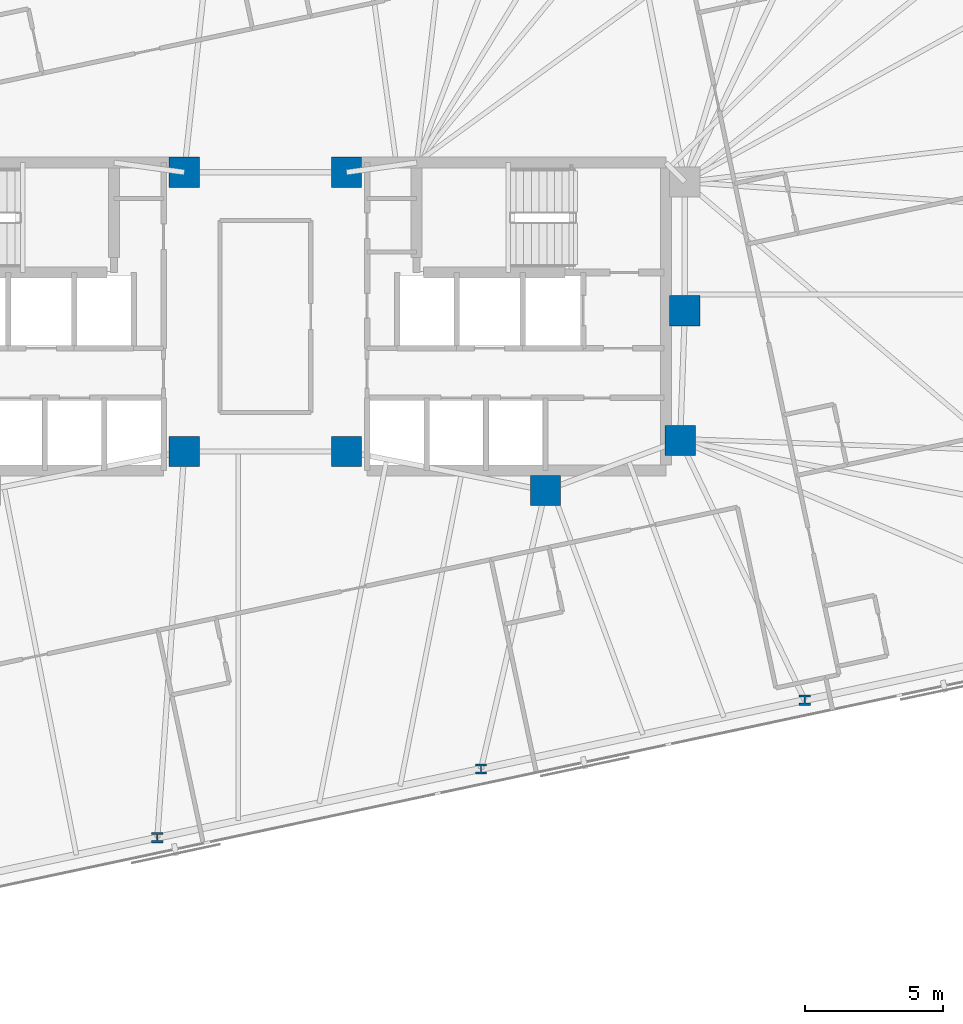
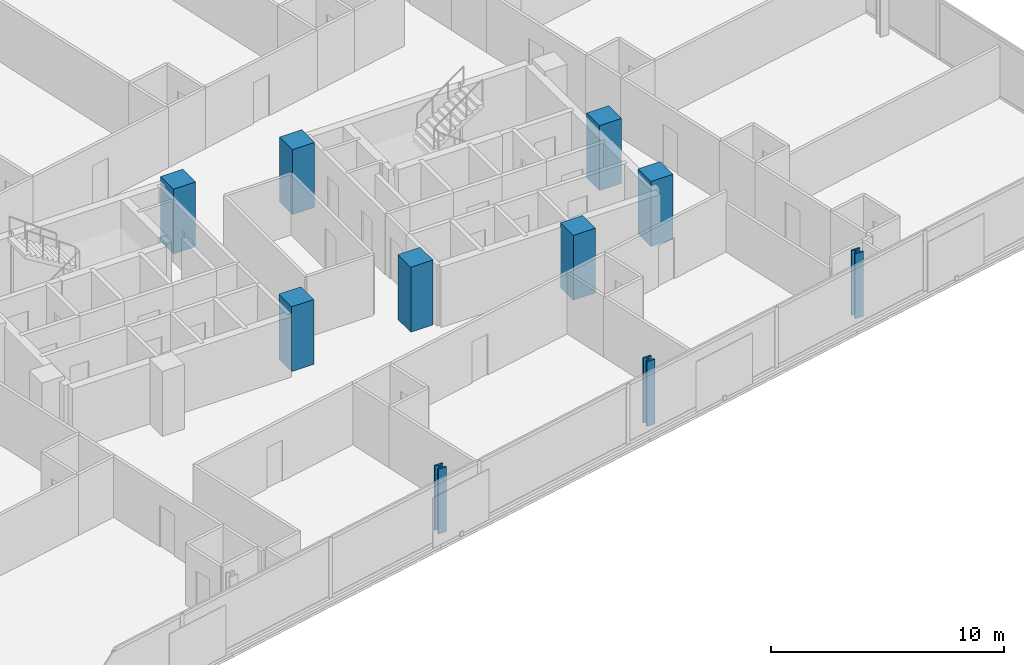
# One storey, part 3 of 19: 10 columns.
"""IFC4 building model written with IfcOpenShell, lengths in metres."""

from ifc_helpers import new_model, si_unit, direction, frame, origin, origin_2d, place, context, subcontext, project, spatial, rectangle, i_section, extrude, material, material_profile, profile_set, type_object, element, save


model = new_model("IFC4")

# Units and contexts
model_context = context("Model", 3, precision=1e-05, world=origin(), true_north=direction((0.0, 1.0)))
body_context = subcontext(model_context, "Body", "Model", "MODEL_VIEW")
ifc_project = project(units=[si_unit("LENGTHUNIT", "METRE"), si_unit("AREAUNIT", "SQUARE_METRE"), si_unit("VOLUMEUNIT", "CUBIC_METRE"), si_unit("PLANEANGLEUNIT", "RADIAN"), si_unit("MASSUNIT", "GRAM", prefix="KILO")], contexts=[model_context])

# Site, building, storey
site_placement = place(None, origin())
site = spatial("IfcSite", under=ifc_project, at=site_placement, CompositionType="ELEMENT")
building_placement = place(site_placement, origin())
building = spatial("IfcBuilding", under=site, at=building_placement, Name="Menara Jurai Vektor", CompositionType="ELEMENT")
storey_placement = place(building_placement, frame((0.0, 0.0, 154.800048828125)))
storey = spatial("IfcBuildingStorey", under=building, at=storey_placement, Name="L39", CompositionType="ELEMENT", Elevation=154.800048828125)

# Columns
ifc_material_1 = material(Name="Concrete C50/60", Category="concrete")
ifc_material_profile_1 = material_profile(ifc_material_1, rectangle(XDim=1.10009765625, YDim=1.10009765625, at=origin_2d()), Name="RC 1100x1100")
ifc_profile_set_1 = profile_set([ifc_material_profile_1], Name="Concrete C50/60")
column_type_1 = type_object("IfcColumnType", Name="STR-COL-RC1100", PredefinedType="COLUMN", material=ifc_profile_set_1)
for number, where, z_axis, x_axis, name in (
    (1, (-2.949951171875, -4.89990234375, 0.0), (0.0, 0.0, 1.0), (1.0, 0.0, 0.0), "Core Spine Column CW-SE L39"),
    (2, (-2.949951171875, 5.25, 0.0), (0.0, 0.0, 1.0), (1.0, 0.0, 0.0), "Core Spine Column CW-NE L39"),
    (3, (15.25, 0.219970703125, 0.0), (0.0, 0.0, 1.0), (1.0, 0.0, 0.0), "Core Spine Column CE-EM L39"),
    (4, (15.080078125, -4.5, 0.0), (0.0, 0.0, 1.0), (1.0, 0.0, 0.0), "Core Spine Column CE-SE L39"),
    (5, (10.179931640625, -6.320068359375, 0.0), (0.0, 0.0, 1.0), (1.0, 0.0, 0.0), "Core Spine Column CE-SM L39"),
    (6, (2.949951171875, -4.89990234375, 0.0), (0.0, 0.0, 1.0), (1.0, 0.0, 0.0), "Core Spine Column CE-SW L39"),
    (7, (2.949951171875, 5.25, 0.0), (0.0, 0.0, 1.0), (1.0, 0.0, 0.0), "Core Spine Column CE-NW L39"),
):
    element("IfcColumn", number, at=place(storey_placement, frame(where, z_axis=z_axis, x_axis=x_axis)), inside=storey, type_object=column_type_1, Name=name, PredefinedType="COLUMN", context=body_context, shape_type="SweptSolid", body=[
        extrude(rectangle(XDim=1.10009765625, YDim=1.10009765625, at=origin_2d()), origin(), (0.0, 0.0, 1.0), 3.39990234375),
    ])
ifc_material_2 = material(Name="Steel S460", Category="steel")
ifc_material_profile_2 = material_profile(ifc_material_2, i_section(OverallWidth=0.408935546875, OverallDepth=0.3740234375, WebThickness=0.048095703125, FlangeThickness=0.076904296875, FilletRadius=0.014892578125, at=origin_2d()), Name="HD 400x634")
ifc_profile_set_2 = profile_set([ifc_material_profile_2], Name="Steel S460")
column_type_2 = type_object("IfcColumnType", Name="STR-EXO-BLK3", PredefinedType="COLUMN", material=ifc_profile_set_2)
for number, where, z_axis, x_axis, name in (
    (8, (-3.928466796875, -18.94287109375, 0.0), (0.0, 0.0, 1.0), (1.0, 0.0, 0.0), "Exoskeleton Column BLK3-S3 L39"),
    (9, (7.83984375, -16.44140625, 0.0), (0.0, 0.0, 1.0), (1.0, 0.0, 0.0), "Exoskeleton Column BLK3-S4 L39"),
    (10, (19.608154296875, -13.940185546875, 0.0), (0.0, 0.0, 1.0), (1.0, 0.0, 0.0), "Exoskeleton Column BLK3-S5 L39"),
):
    element("IfcColumn", number, at=place(storey_placement, frame(where, z_axis=z_axis, x_axis=x_axis)), inside=storey, type_object=column_type_2, Name=name, PredefinedType="COLUMN", context=body_context, shape_type="SweptSolid", body=[
        extrude(i_section(OverallWidth=0.408935546875, OverallDepth=0.3740234375, WebThickness=0.048095703125, FlangeThickness=0.076904296875, FilletRadius=0.014892578125, at=origin_2d()), origin(), (0.0, 0.0, 1.0), 3.39990234375),
    ])

save(model, "model.ifc")
